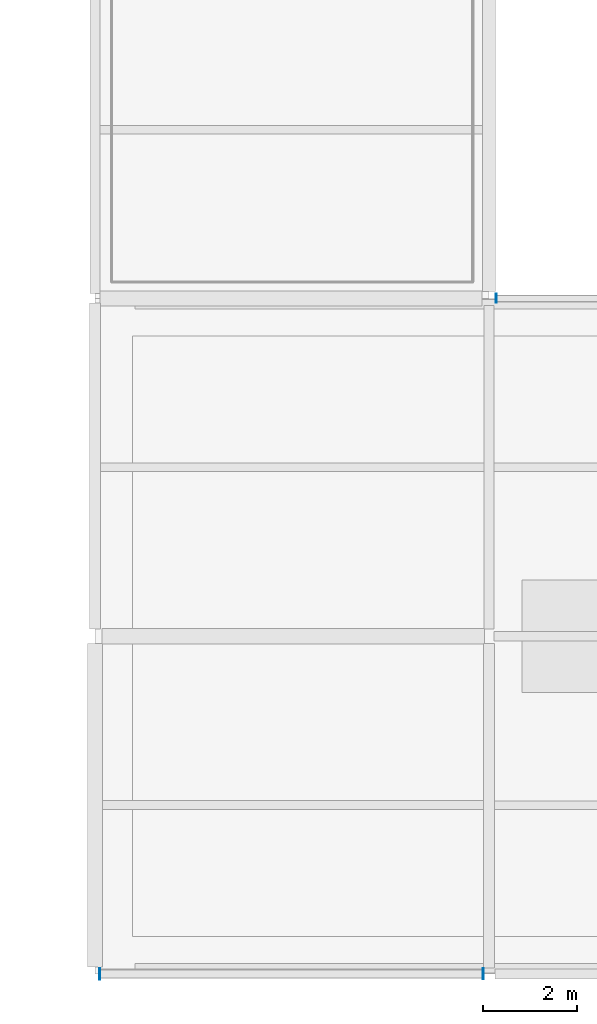
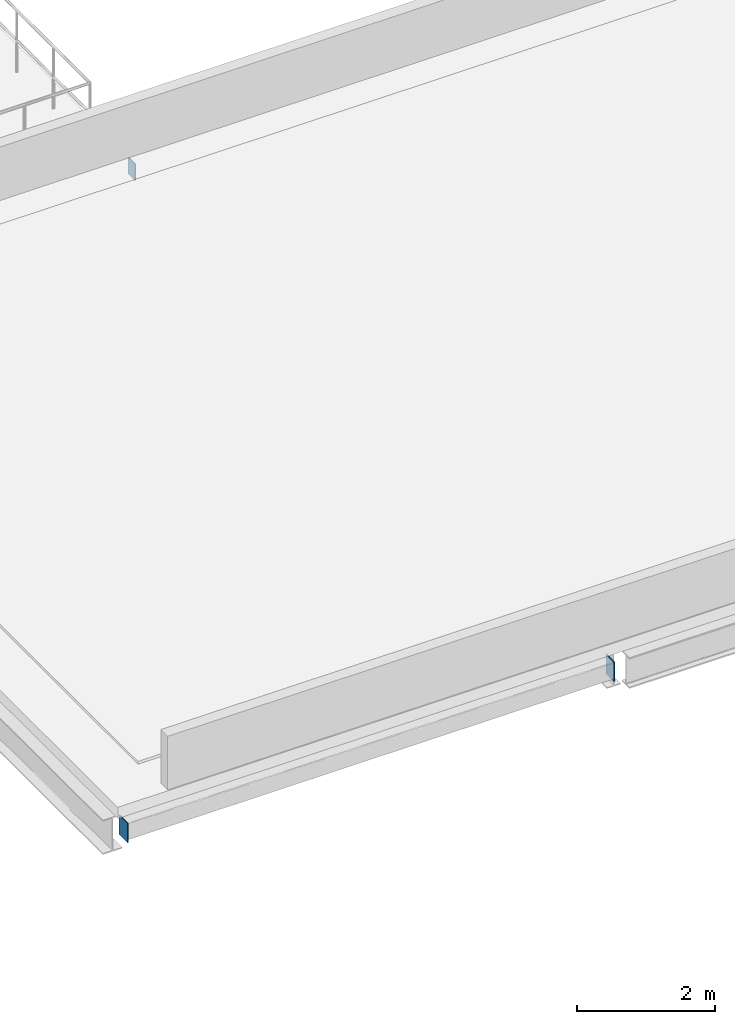
# One storey, part 113 of 153: 3 plates.
"""IFC4 building model written with IfcOpenShell, lengths in metres."""

from ifc_helpers import new_model, si_unit, direction, frame, origin, origin_2d, place, context, subcontext, project, spatial, rectangle, extrude, material, layer, layer_set, type_object, element, save


model = new_model("IFC4")

# Units and contexts
model_context = context("Model", 3, precision=1e-05, world=origin(), true_north=direction((0.0, 1.0)))
body_context = subcontext(model_context, "Body", "Model", "MODEL_VIEW")
ifc_project = project(units=[si_unit("LENGTHUNIT", "METRE"), si_unit("AREAUNIT", "SQUARE_METRE"), si_unit("VOLUMEUNIT", "CUBIC_METRE"), si_unit("PLANEANGLEUNIT", "RADIAN"), si_unit("MASSUNIT", "GRAM", prefix="KILO")], contexts=[model_context])

# Site, building, storey
site_placement = place(None, origin())
site = spatial("IfcSite", under=ifc_project, at=site_placement, CompositionType="ELEMENT")
building_placement = place(site_placement, origin())
building = spatial("IfcBuilding", under=site, at=building_placement, Name="Calvrana Isthmian Art Gallery", CompositionType="ELEMENT")
storey_placement = place(building_placement, frame((0.0, 0.0, 10.199951171875)))
storey = spatial("IfcBuildingStorey", under=building, at=storey_placement, Name="L02", CompositionType="ELEMENT", Elevation=10.199951171875)

# Plates
ifc_material = material(Name="Steel ASTM A572 Gr 50", Category="steel")
ifc_layer = layer(ifc_material, 0.01611328125, Name="Steel ASTM A572 Gr 50")
ifc_layer_set = layer_set([ifc_layer], Name="Steel ASTM A572 Gr 50")
plate_type = type_object("IfcPlateType", Name="PL-CAP-16", PredefinedType="SHEET", material=ifc_layer_set)
for number, where, z_axis, x_axis, name in (
    (1, (72.1015625, 0.0, -0.589599609375), (0.0, 0.0, 1.0), (1.0, 0.0, 0.0), "Hollow section end cap plate 439"),
    (2, (80.27294921875, 0.0, -0.589599609375), (0.0, 0.0, 1.0), (1.0, 0.0, 0.0), "Hollow section end cap plate 440"),
):
    element("IfcPlate", number, at=place(storey_placement, frame(where, z_axis=z_axis, x_axis=x_axis)), inside=storey, type_object=plate_type, Name=name, PredefinedType="SHEET", context=body_context, shape_type="SweptSolid", body=[
        extrude(rectangle(XDim=0.01611328125, YDim=0.2431640625, at=origin_2d()), origin(), (0.0, 0.0, 1.0), 0.3447265625),
    ])
plate_placement = place(storey_placement, frame((80.552490234375, 14.39990234375, -0.538818359375), z_axis=(0.0, 0.0, 1.0), x_axis=(1.0, 0.0, 0.0)))
element("IfcPlate", 3, at=plate_placement, inside=storey, type_object=plate_type, Name="Hollow section end cap plate 443", PredefinedType="SHEET", context=body_context, shape_type="SweptSolid", body=[
    extrude(rectangle(XDim=0.01611328125, YDim=0.1923828125, at=origin_2d()), origin(), (0.0, 0.0, 1.0), 0.2939453125),
])

save(model, "model.ifc")
